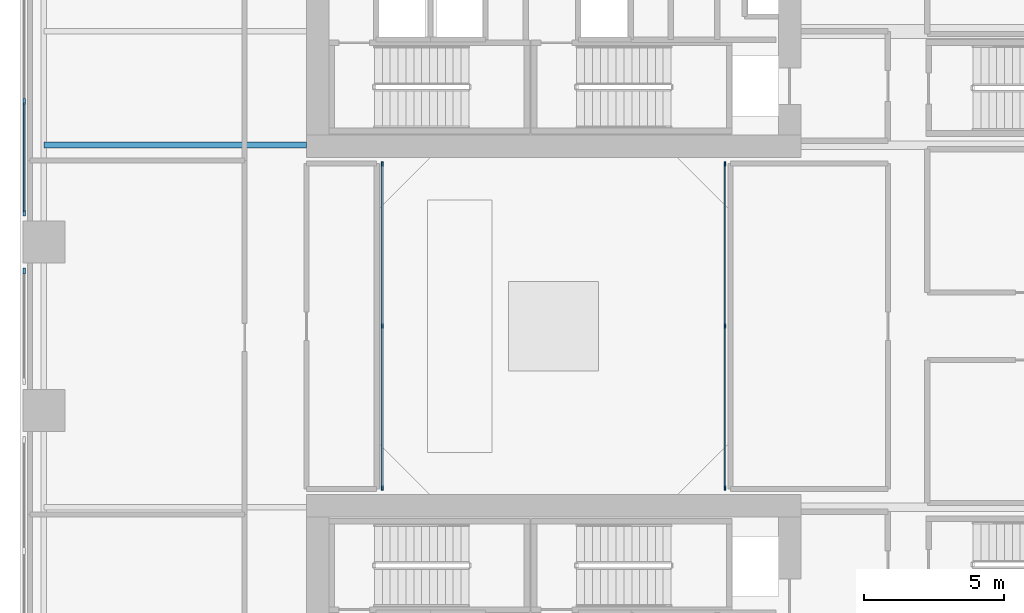
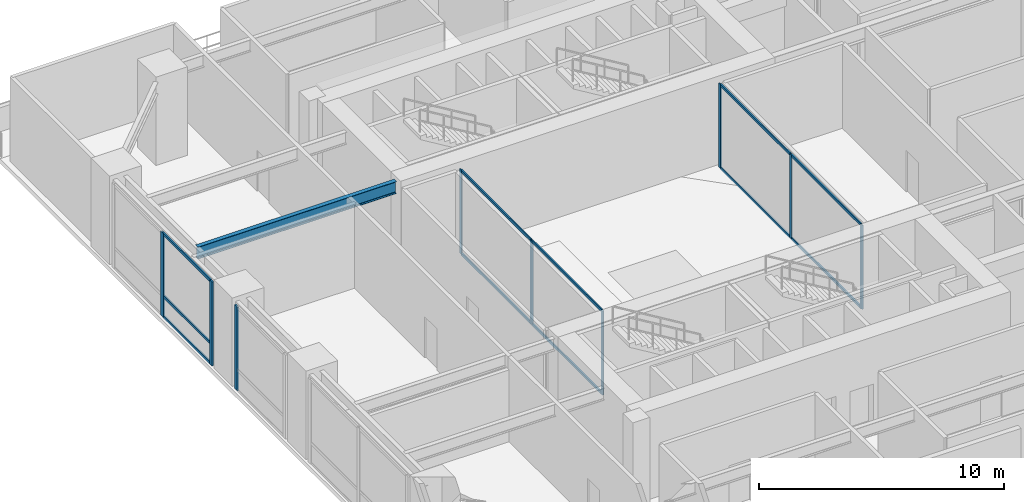
# One storey, part 3 of 19: 20 members, 1 beam, 4 elements without a shape of their own.
"""IFC4 building model written with IfcOpenShell, lengths in metres."""

from ifc_helpers import new_model, si_unit, direction, frame, origin, origin_2d, place, context, subcontext, project, spatial, rectangle, i_section, extrude, source, transform, mapped, material, layer, layer_set, material_profile, profile_set, type_object, element, aggregate, save


model = new_model("IFC4")

# Units and contexts
model_context = context("Model", 3, precision=1e-05, world=origin(), true_north=direction((0.0, 1.0)))
body_context = subcontext(model_context, "Body", "Model", "MODEL_VIEW")
ifc_project = project(units=[si_unit("LENGTHUNIT", "METRE"), si_unit("AREAUNIT", "SQUARE_METRE"), si_unit("VOLUMEUNIT", "CUBIC_METRE"), si_unit("PLANEANGLEUNIT", "RADIAN"), si_unit("MASSUNIT", "GRAM", prefix="KILO"), si_unit("THERMODYNAMICTEMPERATUREUNIT", "KELVIN"), si_unit("POWERUNIT", "WATT")], contexts=[model_context])

# Site, building, storey
site_placement = place(None, origin())
site = spatial("IfcSite", under=ifc_project, at=site_placement, CompositionType="ELEMENT")
building_placement = place(site_placement, origin())
building = spatial("IfcBuilding", under=site, at=building_placement, Name="Qiaomeng Ring Towers", CompositionType="ELEMENT")
storey_placement = place(building_placement, frame((0.0, 0.0, 5.0)))
storey = spatial("IfcBuildingStorey", under=building, at=storey_placement, Name="L01", CompositionType="ELEMENT", Elevation=5.0)

# Beam
ifc_material_1 = material(Name="Steel Q355B", Category="steel")
ifc_material_profile_1 = material_profile(ifc_material_1, i_section(OverallWidth=0.199951171875, OverallDepth=0.60009765625, WebThickness=0.010986328125, FlangeThickness=0.01708984375, FilletRadius=0.02197265625, at=origin_2d()), Name="HN 600x200x11x17")
ifc_profile_set_1 = profile_set([ifc_material_profile_1], Name="Steel Q355B")
beam_type = type_object("IfcBeamType", Name="STR-BM-HN600", PredefinedType="BEAM", material=ifc_profile_set_1)
shared_shape_1 = source(origin(), body_context, "Body", "SweptSolid", [
    extrude(i_section(OverallWidth=0.199951171875, OverallDepth=0.60009765625, WebThickness=0.010986328125, FlangeThickness=0.01708984375, FilletRadius=0.02197265625, at=origin_2d()), origin(), (0.0, 0.0, 1.0), 9.349853515625),
])
beam_placement = place(storey_placement, frame((0.85009765625, 29.449951171875, 3.8798828125), z_axis=(1.0, 0.0, 0.0), x_axis=(0.0, 1.0, 0.0)))
element("IfcBeam", 1, at=beam_placement, inside=storey, type_object=beam_type, Name="L01 beam STR-BM-L01-W-2", PredefinedType="BEAM", context=body_context, shape_type="MappedRepresentation", body=[
    mapped(shared_shape_1, transform((0.0, 0.0, 0.0), x_axis=(1.0, 0.0, 0.0), y_axis=(0.0, 1.0, 0.0), z_axis=(0.0, 0.0, 1.0), scale=1.0)),
])

# Curtain wall, members
ifc_material_2 = material(Name="Fluorocarbon dark-grey aluminium", Category="aluminium")
ifc_layer_1 = layer(ifc_material_2, 0.179931640625, Name="Fluorocarbon dark-grey aluminium")
ifc_layer_set_1 = layer_set([ifc_layer_1], Name="Fluorocarbon dark-grey aluminium")
curtain_wall_type_1 = type_object("IfcCurtainWallType", Name="ARC-CW-1", PredefinedType="NOTDEFINED", material=ifc_layer_set_1)
curtain_wall_1_placement = place(storey_placement, origin())
curtain_wall_1 = element("IfcCurtainWall", 2, at=curtain_wall_1_placement, inside=storey, type_object=curtain_wall_type_1, Name="L01 Curtain Wall CW1", PredefinedType="NOTDEFINED")
ifc_material_profile_2 = material_profile(ifc_material_2, rectangle(XDim=0.070068359375, YDim=0.139892578125, at=origin_2d()), Name="ALU TRAN 70x140")
ifc_profile_set_2 = profile_set([ifc_material_profile_2], Name="Fluorocarbon dark-grey aluminium")
member_type_1 = type_object("IfcMemberType", Name="ARC-CWT-140", PredefinedType="USERDEFINED", material=ifc_profile_set_2)
shared_shape_2 = source(origin(), body_context, "Body", "SweptSolid", [
    extrude(rectangle(XDim=0.070068359375, YDim=0.139892578125, at=origin_2d()), origin(), (0.0, 0.0, 1.0), 3.889892578125),
])
member_1_placement = place(storey_placement, frame((0.14990234375, 27.070068359375, 0.034912109375), z_axis=(0.0, 1.0, 0.0), x_axis=(-1.0, 0.0, 0.0)))
member_1 = element("IfcMember", 3, at=member_1_placement, type_object=member_type_1, Name="CW1 transom 1.1", ObjectType="TRANSOM", PredefinedType="USERDEFINED", context=body_context, shape_type="MappedRepresentation", body=[
    mapped(shared_shape_2, transform((0.0, 0.0, 0.0), x_axis=(1.0, 0.0, 0.0), y_axis=(0.0, 1.0, 0.0), z_axis=(0.0, 0.0, 1.0), scale=1.0)),
])
member_2_placement = place(storey_placement, frame((0.14990234375, 27.070068359375, 1.050048828125), z_axis=(0.0, 1.0, 0.0), x_axis=(-1.0, 0.0, 0.0)))
member_2 = element("IfcMember", 4, at=member_2_placement, type_object=member_type_1, Name="CW1 transom 1.2", ObjectType="TRANSOM", PredefinedType="USERDEFINED", context=body_context, shape_type="MappedRepresentation", body=[
    mapped(shared_shape_2, transform((0.0, 0.0, 0.0), x_axis=(1.0, 0.0, 0.0), y_axis=(0.0, 1.0, 0.0), z_axis=(0.0, 0.0, 1.0), scale=1.0)),
])
member_3_placement = place(storey_placement, frame((0.14990234375, 27.070068359375, 4.14501953125), z_axis=(0.0, 1.0, 0.0), x_axis=(-1.0, 0.0, 0.0)))
member_3 = element("IfcMember", 5, at=member_3_placement, type_object=member_type_1, Name="CW1 transom 1.3", ObjectType="TRANSOM", PredefinedType="USERDEFINED", context=body_context, shape_type="MappedRepresentation", body=[
    mapped(shared_shape_2, transform((0.0, 0.0, 0.0), x_axis=(1.0, 0.0, 0.0), y_axis=(0.0, 1.0, 0.0), z_axis=(0.0, 0.0, 1.0), scale=1.0)),
])

# Curtain wall, member
curtain_wall_2_placement = place(storey_placement, origin())
curtain_wall_2 = element("IfcCurtainWall", 6, at=curtain_wall_2_placement, inside=storey, type_object=curtain_wall_type_1, Name="L01 Curtain Wall CW1", PredefinedType="NOTDEFINED")
ifc_material_profile_3 = material_profile(ifc_material_2, rectangle(XDim=0.080078125, YDim=0.219970703125, at=origin_2d()), Name="ALU MULL 80x220")
ifc_profile_set_3 = profile_set([ifc_material_profile_3], Name="Fluorocarbon dark-grey aluminium")
member_type_2 = type_object("IfcMemberType", Name="ARC-CWM-180", PredefinedType="MULLION", material=ifc_profile_set_3)
shared_shape_3 = source(origin(), body_context, "Body", "SweptSolid", [
    extrude(rectangle(XDim=0.080078125, YDim=0.219970703125, at=origin_2d()), origin(), (0.0, 0.0, 1.0), 4.179931640625),
])
member_4_placement = place(storey_placement, frame((0.14990234375, 24.969970703125, 0.0), z_axis=(0.0, 0.0, 1.0), x_axis=(-1.0, 0.0, 0.0)))
member_4 = element("IfcMember", 7, at=member_4_placement, type_object=member_type_2, Name="CW1 mullion 2", PredefinedType="MULLION", context=body_context, shape_type="MappedRepresentation", body=[
    mapped(shared_shape_3, transform((0.0, 0.0, 0.0), x_axis=(1.0, 0.0, 0.0), y_axis=(0.0, 1.0, 0.0), z_axis=(0.0, 0.0, 1.0), scale=1.0)),
])
aggregate(curtain_wall_2, [member_4])

# Member
member_5_placement = place(storey_placement, frame((0.14990234375, 27.030029296875, 0.0), z_axis=(0.0, 0.0, 1.0), x_axis=(-1.0, 0.0, 0.0)))
member_5 = element("IfcMember", 8, at=member_5_placement, type_object=member_type_2, Name="CW1 mullion 1", PredefinedType="MULLION", context=body_context, shape_type="MappedRepresentation", body=[
    mapped(shared_shape_3, transform((0.0, 0.0, 0.0), x_axis=(1.0, 0.0, 0.0), y_axis=(0.0, 1.0, 0.0), z_axis=(0.0, 0.0, 1.0), scale=1.0)),
])

member_6_placement = place(storey_placement, frame((0.14990234375, 31.0, 0.0), z_axis=(0.0, 0.0, 1.0), x_axis=(-1.0, 0.0, 0.0)))
member_6 = element("IfcMember", 9, at=member_6_placement, type_object=member_type_2, Name="CW1 mullion 2", PredefinedType="MULLION", context=body_context, shape_type="MappedRepresentation", body=[
    mapped(shared_shape_3, transform((0.0, 0.0, 0.0), x_axis=(1.0, 0.0, 0.0), y_axis=(0.0, 1.0, 0.0), z_axis=(0.0, 0.0, 1.0), scale=1.0)),
])

aggregate(curtain_wall_1, [member_5, member_6, member_1, member_2, member_3])

# Curtain wall, members
ifc_layer_2 = layer(ifc_material_2, 0.139892578125, Name="Fluorocarbon dark-grey aluminium")
ifc_layer_set_2 = layer_set([ifc_layer_2], Name="Fluorocarbon dark-grey aluminium")
curtain_wall_type_2 = type_object("IfcCurtainWallType", Name="ARC-CW-4", PredefinedType="NOTDEFINED", material=ifc_layer_set_2)
curtain_wall_3_placement = place(storey_placement, origin())
curtain_wall_3 = element("IfcCurtainWall", 10, at=curtain_wall_3_placement, inside=storey, type_object=curtain_wall_type_2, Name="L01 Curtain Wall CW4", PredefinedType="NOTDEFINED")
ifc_material_profile_4 = material_profile(ifc_material_2, rectangle(XDim=0.06494140625, YDim=0.159912109375, at=origin_2d()), Name="ALU MULL 65x160")
ifc_profile_set_4 = profile_set([ifc_material_profile_4], Name="Fluorocarbon dark-grey aluminium")
member_type_3 = type_object("IfcMemberType", Name="ARC-CWM-140", PredefinedType="MULLION", material=ifc_profile_set_4)
shared_shape_4 = source(origin(), body_context, "Body", "SweptSolid", [
    extrude(rectangle(XDim=0.06494140625, YDim=0.159912109375, at=origin_2d()), origin(), (0.0, 0.0, 1.0), 4.179931640625),
])
member_7_placement = place(storey_placement, frame((12.89990234375, 17.232421875, 0.0), z_axis=(0.0, 0.0, 1.0), x_axis=(-1.0, 0.0, 0.0)))
member_7 = element("IfcMember", 11, at=member_7_placement, type_object=member_type_3, Name="CW4 mullion 1", PredefinedType="MULLION", context=body_context, shape_type="MappedRepresentation", body=[
    mapped(shared_shape_4, transform((0.0, 0.0, 0.0), x_axis=(1.0, 0.0, 0.0), y_axis=(0.0, 1.0, 0.0), z_axis=(0.0, 0.0, 1.0), scale=1.0)),
])
member_8_placement = place(storey_placement, frame((12.89990234375, 23.0, 0.0), z_axis=(0.0, 0.0, 1.0), x_axis=(-1.0, 0.0, 0.0)))
member_8 = element("IfcMember", 12, at=member_8_placement, type_object=member_type_3, Name="CW4 mullion 2", PredefinedType="MULLION", context=body_context, shape_type="MappedRepresentation", body=[
    mapped(shared_shape_4, transform((0.0, 0.0, 0.0), x_axis=(1.0, 0.0, 0.0), y_axis=(0.0, 1.0, 0.0), z_axis=(0.0, 0.0, 1.0), scale=1.0)),
])
member_9_placement = place(storey_placement, frame((12.89990234375, 28.767578125, 0.0), z_axis=(0.0, 0.0, 1.0), x_axis=(-1.0, 0.0, 0.0)))
member_9 = element("IfcMember", 13, at=member_9_placement, type_object=member_type_3, Name="CW4 mullion 3", PredefinedType="MULLION", context=body_context, shape_type="MappedRepresentation", body=[
    mapped(shared_shape_4, transform((0.0, 0.0, 0.0), x_axis=(1.0, 0.0, 0.0), y_axis=(0.0, 1.0, 0.0), z_axis=(0.0, 0.0, 1.0), scale=1.0)),
])

curtain_wall_4_placement = place(storey_placement, origin())
curtain_wall_4 = element("IfcCurtainWall", 14, at=curtain_wall_4_placement, inside=storey, type_object=curtain_wall_type_2, Name="L01 Curtain Wall CW4", PredefinedType="NOTDEFINED")
member_10_placement = place(storey_placement, frame((25.10009765625, 17.232421875, 0.0), z_axis=(0.0, 0.0, 1.0), x_axis=(-1.0, 0.0, 0.0)))
member_10 = element("IfcMember", 15, at=member_10_placement, type_object=member_type_3, Name="CW4 mullion 1", PredefinedType="MULLION", context=body_context, shape_type="MappedRepresentation", body=[
    mapped(shared_shape_4, transform((0.0, 0.0, 0.0), x_axis=(1.0, 0.0, 0.0), y_axis=(0.0, 1.0, 0.0), z_axis=(0.0, 0.0, 1.0), scale=1.0)),
])
member_11_placement = place(storey_placement, frame((25.10009765625, 23.0, 0.0), z_axis=(0.0, 0.0, 1.0), x_axis=(-1.0, 0.0, 0.0)))
member_11 = element("IfcMember", 16, at=member_11_placement, type_object=member_type_3, Name="CW4 mullion 2", PredefinedType="MULLION", context=body_context, shape_type="MappedRepresentation", body=[
    mapped(shared_shape_4, transform((0.0, 0.0, 0.0), x_axis=(1.0, 0.0, 0.0), y_axis=(0.0, 1.0, 0.0), z_axis=(0.0, 0.0, 1.0), scale=1.0)),
])
member_12_placement = place(storey_placement, frame((25.10009765625, 28.767578125, 0.0), z_axis=(0.0, 0.0, 1.0), x_axis=(-1.0, 0.0, 0.0)))
member_12 = element("IfcMember", 17, at=member_12_placement, type_object=member_type_3, Name="CW4 mullion 3", PredefinedType="MULLION", context=body_context, shape_type="MappedRepresentation", body=[
    mapped(shared_shape_4, transform((0.0, 0.0, 0.0), x_axis=(1.0, 0.0, 0.0), y_axis=(0.0, 1.0, 0.0), z_axis=(0.0, 0.0, 1.0), scale=1.0)),
])

# Member
ifc_material_profile_5 = material_profile(ifc_material_2, rectangle(XDim=0.06494140625, YDim=0.1298828125, at=origin_2d()), Name="ALU TRAN 65x130")
ifc_profile_set_5 = profile_set([ifc_material_profile_5], Name="Fluorocarbon dark-grey aluminium")
member_type_4 = type_object("IfcMemberType", Name="ARC-CWT-120", PredefinedType="USERDEFINED", material=ifc_profile_set_5)
shared_shape_5 = source(origin(), body_context, "Body", "SweptSolid", [
    extrude(rectangle(XDim=0.06494140625, YDim=0.1298828125, at=origin_2d()), origin(), (0.0, 0.0, 1.0), 5.70263671875),
])
member_13_placement = place(storey_placement, frame((12.89990234375, 17.264892578125, 0.032470703125), z_axis=(0.0, 1.0, 0.0), x_axis=(-1.0, 0.0, 0.0)))
member_13 = element("IfcMember", 18, at=member_13_placement, type_object=member_type_4, Name="CW4 transom 1.1", ObjectType="TRANSOM", PredefinedType="USERDEFINED", context=body_context, shape_type="MappedRepresentation", body=[
    mapped(shared_shape_5, transform((0.0, 0.0, 0.0), x_axis=(1.0, 0.0, 0.0), y_axis=(0.0, 1.0, 0.0), z_axis=(0.0, 0.0, 1.0), scale=1.0)),
])

member_14_placement = place(storey_placement, frame((12.89990234375, 17.264892578125, 4.1474609375), z_axis=(0.0, 1.0, 0.0), x_axis=(-1.0, 0.0, 0.0)))
member_14 = element("IfcMember", 19, at=member_14_placement, type_object=member_type_4, Name="CW4 transom 1.2", ObjectType="TRANSOM", PredefinedType="USERDEFINED", context=body_context, shape_type="MappedRepresentation", body=[
    mapped(shared_shape_5, transform((0.0, 0.0, 0.0), x_axis=(1.0, 0.0, 0.0), y_axis=(0.0, 1.0, 0.0), z_axis=(0.0, 0.0, 1.0), scale=1.0)),
])

member_15_placement = place(storey_placement, frame((12.89990234375, 23.032470703125, 0.032470703125), z_axis=(0.0, 1.0, 0.0), x_axis=(-1.0, 0.0, 0.0)))
member_15 = element("IfcMember", 20, at=member_15_placement, type_object=member_type_4, Name="CW4 transom 2.1", ObjectType="TRANSOM", PredefinedType="USERDEFINED", context=body_context, shape_type="MappedRepresentation", body=[
    mapped(shared_shape_5, transform((0.0, 0.0, 0.0), x_axis=(1.0, 0.0, 0.0), y_axis=(0.0, 1.0, 0.0), z_axis=(0.0, 0.0, 1.0), scale=1.0)),
])

member_16_placement = place(storey_placement, frame((12.89990234375, 23.032470703125, 4.1474609375), z_axis=(0.0, 1.0, 0.0), x_axis=(-1.0, 0.0, 0.0)))
member_16 = element("IfcMember", 21, at=member_16_placement, type_object=member_type_4, Name="CW4 transom 2.2", ObjectType="TRANSOM", PredefinedType="USERDEFINED", context=body_context, shape_type="MappedRepresentation", body=[
    mapped(shared_shape_5, transform((0.0, 0.0, 0.0), x_axis=(1.0, 0.0, 0.0), y_axis=(0.0, 1.0, 0.0), z_axis=(0.0, 0.0, 1.0), scale=1.0)),
])

aggregate(curtain_wall_3, [member_7, member_8, member_9, member_13, member_14, member_15, member_16])

member_17_placement = place(storey_placement, frame((25.10009765625, 17.264892578125, 0.032470703125), z_axis=(0.0, 1.0, 0.0), x_axis=(-1.0, 0.0, 0.0)))
member_17 = element("IfcMember", 22, at=member_17_placement, type_object=member_type_4, Name="CW4 transom 1.1", ObjectType="TRANSOM", PredefinedType="USERDEFINED", context=body_context, shape_type="MappedRepresentation", body=[
    mapped(shared_shape_5, transform((0.0, 0.0, 0.0), x_axis=(1.0, 0.0, 0.0), y_axis=(0.0, 1.0, 0.0), z_axis=(0.0, 0.0, 1.0), scale=1.0)),
])

member_18_placement = place(storey_placement, frame((25.10009765625, 17.264892578125, 4.1474609375), z_axis=(0.0, 1.0, 0.0), x_axis=(-1.0, 0.0, 0.0)))
member_18 = element("IfcMember", 23, at=member_18_placement, type_object=member_type_4, Name="CW4 transom 1.2", ObjectType="TRANSOM", PredefinedType="USERDEFINED", context=body_context, shape_type="MappedRepresentation", body=[
    mapped(shared_shape_5, transform((0.0, 0.0, 0.0), x_axis=(1.0, 0.0, 0.0), y_axis=(0.0, 1.0, 0.0), z_axis=(0.0, 0.0, 1.0), scale=1.0)),
])

member_19_placement = place(storey_placement, frame((25.10009765625, 23.032470703125, 0.032470703125), z_axis=(0.0, 1.0, 0.0), x_axis=(-1.0, 0.0, 0.0)))
member_19 = element("IfcMember", 24, at=member_19_placement, type_object=member_type_4, Name="CW4 transom 2.1", ObjectType="TRANSOM", PredefinedType="USERDEFINED", context=body_context, shape_type="MappedRepresentation", body=[
    mapped(shared_shape_5, transform((0.0, 0.0, 0.0), x_axis=(1.0, 0.0, 0.0), y_axis=(0.0, 1.0, 0.0), z_axis=(0.0, 0.0, 1.0), scale=1.0)),
])

member_20_placement = place(storey_placement, frame((25.10009765625, 23.032470703125, 4.1474609375), z_axis=(0.0, 1.0, 0.0), x_axis=(-1.0, 0.0, 0.0)))
member_20 = element("IfcMember", 25, at=member_20_placement, type_object=member_type_4, Name="CW4 transom 2.2", ObjectType="TRANSOM", PredefinedType="USERDEFINED", context=body_context, shape_type="MappedRepresentation", body=[
    mapped(shared_shape_5, transform((0.0, 0.0, 0.0), x_axis=(1.0, 0.0, 0.0), y_axis=(0.0, 1.0, 0.0), z_axis=(0.0, 0.0, 1.0), scale=1.0)),
])

aggregate(curtain_wall_4, [member_10, member_11, member_12, member_17, member_18, member_19, member_20])

save(model, "model.ifc")
